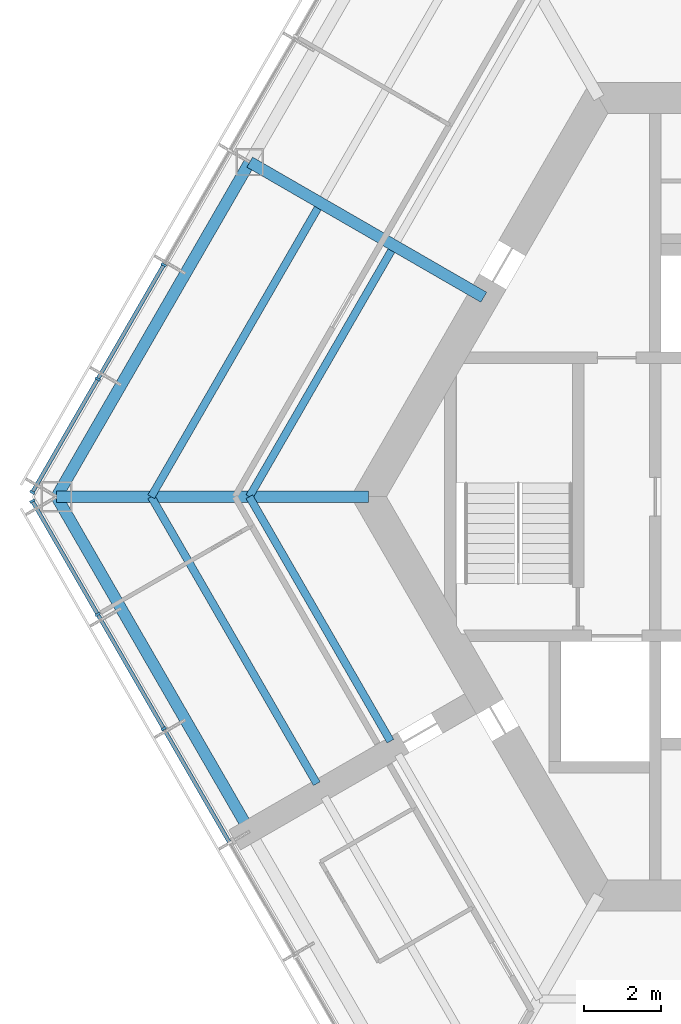
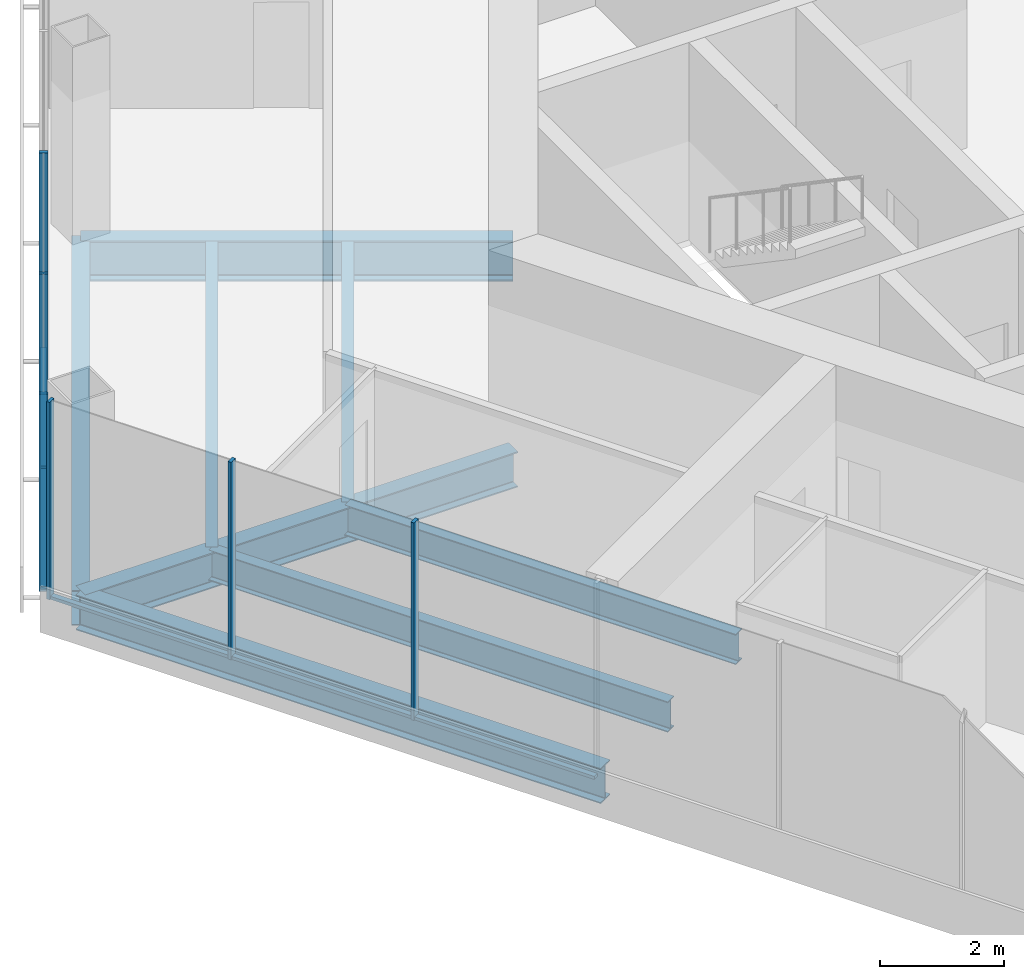
# One storey, part 3 of 15: 11 members, 8 beams, 2 elements without a shape of their own.
"""IFC4 building model written with IfcOpenShell, lengths in metres."""

import ifcopenshell
import ifcopenshell.guid

model = None  # the IFC model being written
_history = None  # IfcOwnerHistory: only IFC2X3 demands one
_inside = {}  # id of a spatial element -> (the spatial element, [elements in it])
_under = {}  # id of a project, library or spatial element -> (it, [spatial elements below it])
_declared = {}  # id of a project -> (the project, [libraries it declares])
_typed = {}  # id of a type object -> (the type object, [elements of that type])
_made_of = {}  # id of a material, layer set ... -> (it, [elements and type objects made of it])


def new_model(schema):
    """Start an empty IFC model of exactly this schema.

    Asked for "IFC4X3", IfcOpenShell would pick the latest addendum, in which some entities
    have other attributes; the version numbers below select the first issue.
    IFC2X3 requires an IfcOwnerHistory on every rooted entity: one is made here for all.
    """
    global model, _history
    if schema == "IFC4X3":
        model = ifcopenshell.file(schema_version=(4, 3, 0, 0))
    else:
        model = ifcopenshell.file(schema=schema)
    _inside.clear()
    _under.clear()
    _declared.clear()
    _typed.clear()
    _made_of.clear()
    _history = None
    if model.schema == "IFC2X3":
        org = make("IfcOrganization", Name="unknown")
        user = make(
            "IfcPersonAndOrganization",
            ThePerson=make("IfcPerson", FamilyName="unknown"),
            TheOrganization=org,
        )
        app = make(
            "IfcApplication",
            ApplicationDeveloper=org,
            Version="unknown",
            ApplicationFullName="unknown",
            ApplicationIdentifier="unknown",
        )
        _history = make(
            "IfcOwnerHistory",
            OwningUser=user,
            OwningApplication=app,
            ChangeAction="ADDED",
            CreationDate=0,
        )
    return model


def make(cls, **values):
    """One entity of the class cls with the attributes given. An attribute that is None is left unset."""
    return model.create_entity(
        cls, **{name: value for name, value in values.items() if value is not None}
    )


def rooted(cls, **values):
    """An entity with a GlobalId (a new one), such as an element, a storey or a relation."""
    return make(cls, GlobalId=ifcopenshell.guid.new(), OwnerHistory=_history, **values)


def si_unit(unit_type, name, prefix=None):
    """IfcSIUnit, for example si_unit("LENGTHUNIT", "METRE", prefix="MILLI")."""
    return make("IfcSIUnit", UnitType=unit_type, Prefix=prefix, Name=name)


def assignment(units):
    """IfcUnitAssignment: the units of a project."""
    return None if units is None else make("IfcUnitAssignment", Units=units)


def point(xyz):
    """IfcCartesianPoint."""
    return None if xyz is None else make("IfcCartesianPoint", Coordinates=xyz)


def direction(xyz):
    """IfcDirection."""
    return None if xyz is None else make("IfcDirection", DirectionRatios=xyz)


def frame(location, z_axis=None, x_axis=None):
    """IfcAxis2Placement3D, a coordinate frame: its origin and axes. An axis left out is left unset."""
    return make(
        "IfcAxis2Placement3D",
        Location=point(location),
        Axis=direction(z_axis),
        RefDirection=direction(x_axis),
    )


def frame_2d(location, x_axis=None):
    """IfcAxis2Placement2D, a coordinate frame in the plane: its origin and x axis."""
    return make(
        "IfcAxis2Placement2D", Location=point(location), RefDirection=direction(x_axis)
    )


def origin():
    """The frame at (0, 0, 0) with its axes left unset."""
    return frame((0.0, 0.0, 0.0))


def origin_2d():
    """The frame at (0, 0) in the plane with its x axis left unset."""
    return frame_2d((0.0, 0.0))


def place(relative_to, where):
    """IfcLocalPlacement: puts the frame where relative to a parent placement (None: the world)."""
    return make(
        "IfcLocalPlacement", PlacementRelTo=relative_to, RelativePlacement=where
    )


def context(
    kind, dimensions, precision=None, world=None, true_north=None, identifier=None
):
    """IfcGeometricRepresentationContext, for example the 3D "Model" context."""
    return make(
        "IfcGeometricRepresentationContext",
        ContextIdentifier=identifier,
        ContextType=kind,
        CoordinateSpaceDimension=dimensions,
        Precision=precision,
        WorldCoordinateSystem=world,
        TrueNorth=true_north,
    )


def subcontext(parent, identifier, kind, view, scale=None):
    """IfcGeometricRepresentationSubContext, for example "Body" below "Model"."""
    return make(
        "IfcGeometricRepresentationSubContext",
        ContextIdentifier=identifier,
        ContextType=kind,
        ParentContext=parent,
        TargetScale=scale,
        TargetView=view,
    )


def project(units=None, contexts=None):
    """IfcProject with its units and contexts."""
    return rooted(
        "IfcProject",
        Name="project",
        RepresentationContexts=contexts,
        UnitsInContext=assignment(units),
    )


def spatial(cls, under=None, at=None, **own):
    """A site, building, storey or space (cls), placed at a placement, below another one or the project."""
    s = rooted(cls, ObjectPlacement=at, **own)
    if under is not None:
        _under.setdefault(under.id(), (under, []))[1].append(s)
    return s


def profile(cls, at=None, kind="AREA", **sizes):
    """A parametric profile (cls). Its sizes go by their IFC names, for example OverallWidth=200.0."""
    return make(cls, ProfileType=kind, Position=at, **sizes)


def rectangle(**sizes):
    """IfcRectangleProfileDef."""
    return profile("IfcRectangleProfileDef", **sizes)


def i_section(**sizes):
    """IfcIShapeProfileDef."""
    return profile("IfcIShapeProfileDef", **sizes)


def extrude(swept, where, along, depth):
    """IfcExtrudedAreaSolid: the profile swept, set in the frame where, extruded along a direction by depth."""
    return make(
        "IfcExtrudedAreaSolid",
        SweptArea=swept,
        Position=where,
        ExtrudedDirection=direction(along),
        Depth=depth,
    )


def shape(context_of_items, identifier, shape_type, items):
    """IfcShapeRepresentation: the items that make up one representation, for example the "Body"."""
    return make(
        "IfcShapeRepresentation",
        ContextOfItems=context_of_items,
        RepresentationIdentifier=identifier,
        RepresentationType=shape_type,
        Items=items,
    )


def material(Name=None, Category=None):
    """IfcMaterial."""
    return make("IfcMaterial", Name=Name, Category=Category)


def material_profile(
    of_material, cross_section, Name=None, Category=None, Priority=None
):
    """IfcMaterialProfile: a cross section and its material."""
    return make(
        "IfcMaterialProfile",
        Name=Name,
        Material=of_material,
        Profile=cross_section,
        Priority=Priority,
        Category=Category,
    )


def profile_set(profiles, Name=None, composite=None):
    """IfcMaterialProfileSet."""
    return make(
        "IfcMaterialProfileSet",
        Name=Name,
        MaterialProfiles=profiles,
        CompositeProfile=composite,
    )


def made_of(thing, what):
    """Note that an element or type object is made of a material, layer set ...; save() writes the relation."""
    if what is not None:
        _made_of.setdefault(what.id(), (what, []))[1].append(thing)
    return thing


def type_object(cls, material=None, **own):
    """A type object (cls), such as IfcWallType, which elements share."""
    return made_of(rooted(cls, **own), material)


def element(
    cls,
    number,
    at=None,
    inside=None,
    cuts=None,
    type_object=None,
    material=None,
    context=None,
    identifier="Body",
    shape_type=None,
    held_by="IfcProductDefinitionShape",
    body=None,
    shapes=None,
    **own,
):
    """One element of the class cls, such as IfcWall. Its Tag is "e" and its number.

    at: its placement. inside: the storey or other place that contains it. cuts: it is an
    opening in that element (IfcRelVoidsElement). A single representation is given by context,
    identifier, shape_type and body (its items); several are given by shapes. held_by: the class
    of the entity that holds the representations. save() writes the other relations.
    """
    e = rooted(cls, Tag="e%d" % number, ObjectPlacement=at, **own)
    if body is not None:
        shapes = [shape(context, identifier, shape_type, body)]
    if shapes is not None:
        e.Representation = make(held_by, Representations=shapes)
    if inside is not None:
        _inside.setdefault(inside.id(), (inside, []))[1].append(e)
    if cuts is not None:
        rooted(
            "IfcRelVoidsElement", RelatingBuildingElement=cuts, RelatedOpeningElement=e
        )
    if type_object is not None:
        _typed.setdefault(type_object.id(), (type_object, []))[1].append(e)
    return made_of(e, material)


def aggregate(whole, parts):
    """IfcRelAggregates: a whole, such as a stair, and the parts it consists of."""
    return rooted("IfcRelAggregates", RelatingObject=whole, RelatedObjects=parts)


def save(model, path):
    """Write the relations noted so far, then the file.

    IfcRelAggregates (storeys below a building ...), IfcRelContainedInSpatialStructure (elements
    in a storey), IfcRelDefinesByType, IfcRelAssociatesMaterial and IfcRelDeclares: one each for
    every whole, place, type object, material and project.
    """
    for whole, parts in _under.values():
        aggregate(whole, parts)
    for where, things in _inside.values():
        rooted(
            "IfcRelContainedInSpatialStructure",
            RelatedElements=things,
            RelatingStructure=where,
        )
    for kind, things in _typed.values():
        rooted("IfcRelDefinesByType", RelatedObjects=things, RelatingType=kind)
    for what, things in _made_of.values():
        rooted("IfcRelAssociatesMaterial", RelatedObjects=things, RelatingMaterial=what)
    for by, libraries in _declared.values():
        rooted("IfcRelDeclares", RelatingContext=by, RelatedDefinitions=libraries)
    model.write(path)


model = new_model("IFC4")

# Units and contexts
model_context = context("Model", 3, precision=1e-05, world=origin(), true_north=direction((0.0, 1.0)))
body_context = subcontext(model_context, "Body", "Model", "MODEL_VIEW")
ifc_project = project(units=[si_unit("LENGTHUNIT", "METRE"), si_unit("AREAUNIT", "SQUARE_METRE"), si_unit("VOLUMEUNIT", "CUBIC_METRE"), si_unit("PLANEANGLEUNIT", "RADIAN"), si_unit("MASSUNIT", "GRAM", prefix="KILO")], contexts=[model_context])

# Site, building, storey
site_placement = place(None, origin())
site = spatial("IfcSite", under=ifc_project, at=site_placement, CompositionType="ELEMENT")
building_placement = place(site_placement, origin())
building = spatial("IfcBuilding", under=site, at=building_placement, Name="Kasaneha Research Tower", CompositionType="ELEMENT")
storey_placement = place(building_placement, frame((0.0, 0.0, 244.0)))
storey = spatial("IfcBuildingStorey", under=building, at=storey_placement, Name="L61", CompositionType="ELEMENT", Elevation=244.0)

# Beams
ifc_material_1 = material(Name="Steel SN490B", Category="steel")
ifc_material_profile_1 = material_profile(ifc_material_1, i_section(OverallWidth=0.199951171875, OverallDepth=0.60009765625, WebThickness=0.010986328125, FlangeThickness=0.01708984375, FilletRadius=0.012939453125, at=origin_2d()), Name="H-600x200x11x17")
ifc_profile_set_1 = profile_set([ifc_material_profile_1], Name="Steel SN490B")
beam_type_1 = type_object("IfcBeamType", Name="B1-3 secondary beam H-600x200x11x17", PredefinedType="JOIST", material=ifc_profile_set_1)
beam_1_placement = place(storey_placement, frame((-15.010986328125, 0.0, -0.449951171875), z_axis=(0.499994443168, 0.866028611999, 0.0), x_axis=(-0.866028611999, 0.499994443168, 0.0)))
element("IfcBeam", 1, at=beam_1_placement, inside=storey, type_object=beam_type_1, Name="Secondary beam RS150R1 L61", PredefinedType="JOIST", context=body_context, shape_type="SweptSolid", body=[
    extrude(i_section(OverallWidth=0.199951171875, OverallDepth=0.60009765625, WebThickness=0.010986328125, FlangeThickness=0.01708984375, FilletRadius=0.012939453125, at=origin_2d()), origin(), (0.0, 0.0, 1.0), 7.35546875),
])
beam_2_placement = place(storey_placement, frame((-17.551513671875, 0.0, -0.449951171875), z_axis=(0.5000050195, 0.866022505755, 0.0), x_axis=(-0.866022505755, 0.5000050195, 0.0)))
element("IfcBeam", 2, at=beam_2_placement, inside=storey, type_object=beam_type_1, Name="Secondary beam RS150R2 L61", PredefinedType="JOIST", context=body_context, shape_type="SweptSolid", body=[
    extrude(i_section(OverallWidth=0.199951171875, OverallDepth=0.60009765625, WebThickness=0.010986328125, FlangeThickness=0.01708984375, FilletRadius=0.012939453125, at=origin_2d()), origin(), (0.0, 0.0, 1.0), 8.6259765625),
])
beam_3_placement = place(storey_placement, frame((-15.010986328125, 0.0, -0.449951171875), z_axis=(0.499974128195, -0.866040340363, 0.0), x_axis=(0.866040340363, 0.499974128195, 0.0)))
element("IfcBeam", 3, at=beam_3_placement, inside=storey, type_object=beam_type_1, Name="Secondary beam RS210L1 L61", PredefinedType="JOIST", context=body_context, shape_type="SweptSolid", body=[
    extrude(i_section(OverallWidth=0.199951171875, OverallDepth=0.60009765625, WebThickness=0.010986328125, FlangeThickness=0.01708984375, FilletRadius=0.012939453125, at=origin_2d()), origin(), (0.0, 0.0, 1.0), 7.3056640625),
])
beam_4_placement = place(storey_placement, frame((-17.551513671875, 0.0, -0.449951171875), z_axis=(0.500000102728, -0.866025344474, 0.0), x_axis=(0.866025344474, 0.500000102728, 0.0)))
element("IfcBeam", 4, at=beam_4_placement, inside=storey, type_object=beam_type_1, Name="Secondary beam RS210L2 L61", PredefinedType="JOIST", context=body_context, shape_type="SweptSolid", body=[
    extrude(i_section(OverallWidth=0.199951171875, OverallDepth=0.60009765625, WebThickness=0.010986328125, FlangeThickness=0.01708984375, FilletRadius=0.012939453125, at=origin_2d()), origin(), (0.0, 0.0, 1.0), 8.57568359375),
])

# Curtain wall, members
ifc_material_2 = material(Name="Glass and aluminium", Category="aluminium")
curtain_wall_type = type_object("IfcCurtainWallType", Name="High-rise office curtain wall", PredefinedType="USERDEFINED", material=ifc_material_2)
curtain_wall_1_placement = place(storey_placement, origin())
curtain_wall_1 = element("IfcCurtainWall", 5, at=curtain_wall_1_placement, inside=storey, type_object=curtain_wall_type, Name="CW-O3 L61 run 03a", ObjectType="UNITISED CURTAIN WALL", PredefinedType="USERDEFINED")
ifc_material_3 = material(Name="Aluminium 6063-T6", Category="aluminium")
ifc_material_profile_2 = material_profile(ifc_material_3, rectangle(XDim=0.06005859375, YDim=0.139892578125, at=origin_2d()), Name="CW-O3 mullion 60x140")
ifc_profile_set_2 = profile_set([ifc_material_profile_2], Name="Aluminium 6063-T6")
member_type_1 = type_object("IfcMemberType", Name="CW-O3 mullion", PredefinedType="MULLION", material=ifc_profile_set_2)
member_1_placement = place(storey_placement, frame((-17.227294921875, 6.00244140625, 0.0), z_axis=(0.0, 0.0, 1.0), x_axis=(-0.499999995722, -0.866025406254, 0.0)))
member_1 = element("IfcMember", 6, at=member_1_placement, type_object=member_type_1, Name="CW-O3 mullion 5", PredefinedType="MULLION", context=body_context, shape_type="SweptSolid", body=[
    extrude(rectangle(XDim=0.06005859375, YDim=0.139892578125, at=origin_2d()), origin(), (0.0, 0.0, 1.0), 3.89990234375),
])
member_2_placement = place(storey_placement, frame((-18.93505859375, 3.04443359375, 0.0), z_axis=(0.0, 0.0, 1.0), x_axis=(-0.499999995722, -0.866025406254, 0.0)))
member_2 = element("IfcMember", 7, at=member_2_placement, type_object=member_type_1, Name="CW-O3 mullion 6", PredefinedType="MULLION", context=body_context, shape_type="SweptSolid", body=[
    extrude(rectangle(XDim=0.06005859375, YDim=0.139892578125, at=origin_2d()), origin(), (0.0, 0.0, 1.0), 3.89990234375),
])
member_3_placement = place(storey_placement, frame((-20.6279296875, 0.112548828125, 0.0), z_axis=(0.0, 0.0, 1.0), x_axis=(-0.499999995722, -0.866025406254, 0.0)))
member_3 = element("IfcMember", 8, at=member_3_placement, type_object=member_type_1, Name="CW-O3 mullion 7", PredefinedType="MULLION", context=body_context, shape_type="SweptSolid", body=[
    extrude(rectangle(XDim=0.06005859375, YDim=0.139892578125, at=origin_2d()), origin(), (0.0, 0.0, 1.0), 3.89990234375),
])

curtain_wall_2_placement = place(storey_placement, origin())
curtain_wall_2 = element("IfcCurtainWall", 9, at=curtain_wall_2_placement, inside=storey, type_object=curtain_wall_type, Name="CW-O3 L61 run 04a", ObjectType="UNITISED CURTAIN WALL", PredefinedType="USERDEFINED")
member_4_placement = place(storey_placement, frame((-20.6279296875, -0.112548828125, 0.0), z_axis=(0.0, 0.0, 1.0), x_axis=(0.499999995722, -0.866025406254, 0.0)))
member_4 = element("IfcMember", 10, at=member_4_placement, type_object=member_type_1, Name="CW-O3 mullion 1", PredefinedType="MULLION", context=body_context, shape_type="SweptSolid", body=[
    extrude(rectangle(XDim=0.06005859375, YDim=0.139892578125, at=origin_2d()), origin(), (0.0, 0.0, 1.0), 3.89990234375),
])
member_5_placement = place(storey_placement, frame((-18.93505859375, -3.04443359375, 0.0), z_axis=(0.0, 0.0, 1.0), x_axis=(0.499999995722, -0.866025406254, 0.0)))
member_5 = element("IfcMember", 11, at=member_5_placement, type_object=member_type_1, Name="CW-O3 mullion 2", PredefinedType="MULLION", context=body_context, shape_type="SweptSolid", body=[
    extrude(rectangle(XDim=0.06005859375, YDim=0.139892578125, at=origin_2d()), origin(), (0.0, 0.0, 1.0), 3.89990234375),
])
member_6_placement = place(storey_placement, frame((-17.227294921875, -6.00244140625, 0.0), z_axis=(0.0, 0.0, 1.0), x_axis=(0.499999995722, -0.866025406254, 0.0)))
member_6 = element("IfcMember", 12, at=member_6_placement, type_object=member_type_1, Name="CW-O3 mullion 3", PredefinedType="MULLION", context=body_context, shape_type="SweptSolid", body=[
    extrude(rectangle(XDim=0.06005859375, YDim=0.139892578125, at=origin_2d()), origin(), (0.0, 0.0, 1.0), 3.89990234375),
])

# Member
ifc_material_4 = material(Name="Aluminium 6063-T6", Category="aluminium")
ifc_material_profile_3 = material_profile(ifc_material_4, rectangle(XDim=0.10009765625, YDim=0.06005859375, at=origin_2d()), Name="CW-O3 transom 100x60")
ifc_profile_set_3 = profile_set([ifc_material_profile_3], Name="Aluminium 6063-T6")
member_type_2 = type_object("IfcMemberType", Name="CW-O3 transom", PredefinedType="USERDEFINED", material=ifc_profile_set_3)
member_7_placement = place(storey_placement, frame((-17.242431640625, 5.976318359375, 0.030029296875), z_axis=(-0.500020578564, -0.866013522419, 0.0), x_axis=(0.866013522419, -0.500020578564, 0.0)))
member_7 = element("IfcMember", 13, at=member_7_placement, type_object=member_type_2, Name="CW-O3 transom 5", ObjectType="TRANSOM", PredefinedType="USERDEFINED", context=body_context, shape_type="SweptSolid", body=[
    extrude(rectangle(XDim=0.10009765625, YDim=0.06005859375, at=origin_2d()), origin(), (0.0, 0.0, 1.0), 3.355224609375),
])

member_8_placement = place(storey_placement, frame((-18.9501953125, 3.0185546875, 0.030029296875), z_axis=(-0.49997666526, -0.866038875684, 0.0), x_axis=(0.866038875684, -0.49997666526, 0.0)))
member_8 = element("IfcMember", 14, at=member_8_placement, type_object=member_type_2, Name="CW-O3 transom 6", ObjectType="TRANSOM", PredefinedType="USERDEFINED", context=body_context, shape_type="SweptSolid", body=[
    extrude(rectangle(XDim=0.10009765625, YDim=0.06005859375, at=origin_2d()), origin(), (0.0, 0.0, 1.0), 3.325439453125),
])

aggregate(curtain_wall_1, [member_1, member_2, member_3, member_7, member_8])

member_9_placement = place(storey_placement, frame((-20.61279296875, -0.138671875, 0.030029296875), z_axis=(0.49997666526, -0.866038875684, 0.0), x_axis=(0.866038875684, 0.49997666526, 0.0)))
member_9 = element("IfcMember", 15, at=member_9_placement, type_object=member_type_2, Name="CW-O3 transom 1", ObjectType="TRANSOM", PredefinedType="USERDEFINED", context=body_context, shape_type="SweptSolid", body=[
    extrude(rectangle(XDim=0.10009765625, YDim=0.06005859375, at=origin_2d()), origin(), (0.0, 0.0, 1.0), 3.325439453125),
])

member_10_placement = place(storey_placement, frame((-18.920166015625, -3.070556640625, 0.030029296875), z_axis=(0.500020578564, -0.866013522419, 0.0), x_axis=(0.866013522419, 0.500020578564, 0.0)))
member_10 = element("IfcMember", 16, at=member_10_placement, type_object=member_type_2, Name="CW-O3 transom 2", ObjectType="TRANSOM", PredefinedType="USERDEFINED", context=body_context, shape_type="SweptSolid", body=[
    extrude(rectangle(XDim=0.10009765625, YDim=0.06005859375, at=origin_2d()), origin(), (0.0, 0.0, 1.0), 3.355224609375),
])

member_11_placement = place(storey_placement, frame((-17.21240234375, -6.0283203125, 0.030029296875), z_axis=(0.499989072476, -0.866031712701, 0.0), x_axis=(0.866031712701, 0.499989072476, 0.0)))
member_11 = element("IfcMember", 17, at=member_11_placement, type_object=member_type_2, Name="CW-O3 transom 3", ObjectType="TRANSOM", PredefinedType="USERDEFINED", context=body_context, shape_type="SweptSolid", body=[
    extrude(rectangle(XDim=0.10009765625, YDim=0.06005859375, at=origin_2d()), origin(), (0.0, 0.0, 1.0), 3.35546875),
])

aggregate(curtain_wall_2, [member_4, member_5, member_6, member_9, member_10, member_11])

# Beams
ifc_material_5 = material(Name="Steel SN490B", Category="steel")
ifc_material_profile_4 = material_profile(ifc_material_5, i_section(OverallWidth=0.300048828125, OverallDepth=0.699951171875, WebThickness=0.012939453125, FlangeThickness=0.02392578125, FilletRadius=0.01806640625, at=origin_2d()), Name="H-700x300x13x24")
ifc_profile_set_4 = profile_set([ifc_material_profile_4], Name="Steel SN490B")
beam_type_2 = type_object("IfcBeamType", Name="G1-3 radial girder H-700x300x13x24", PredefinedType="BEAM", material=ifc_profile_set_4)
beam_5_placement = place(storey_placement, frame((-11.92236328125, 0.0, -0.5), z_axis=(-1.0, 0.0, 0.0), x_axis=(0.0, -1.0, 0.0)))
element("IfcBeam", 18, at=beam_5_placement, inside=storey, type_object=beam_type_2, Name="Radial girder RV180 L61", PredefinedType="BEAM", context=body_context, shape_type="SweptSolid", body=[
    extrude(i_section(OverallWidth=0.300048828125, OverallDepth=0.699951171875, WebThickness=0.012939453125, FlangeThickness=0.02392578125, FilletRadius=0.01806640625, at=origin_2d()), origin(), (0.0, 0.0, 1.0), 8.07763671875),
])
ifc_material_6 = material(Name="Steel SN490B", Category="steel")
ifc_material_profile_5 = material_profile(ifc_material_6, i_section(OverallWidth=0.300048828125, OverallDepth=0.800048828125, WebThickness=0.013916015625, FlangeThickness=0.02587890625, FilletRadius=0.01806640625, at=origin_2d()), Name="H-800x300x14x26")
ifc_profile_set_5 = profile_set([ifc_material_profile_5], Name="Steel SN490B")
beam_type_3 = type_object("IfcBeamType", Name="G2-3 radial girder H-800x300x14x26", PredefinedType="BEAM", material=ifc_profile_set_5)
beam_6_placement = place(storey_placement, frame((-8.941650390625, 5.16259765625, -0.550048828125), z_axis=(-0.866039713508, 0.499975214012, 0.0), x_axis=(-0.499975214012, -0.866039713508, 0.0)))
element("IfcBeam", 19, at=beam_6_placement, inside=storey, type_object=beam_type_3, Name="Radial girder RM150 L61", PredefinedType="BEAM", context=body_context, shape_type="SweptSolid", body=[
    extrude(i_section(OverallWidth=0.300048828125, OverallDepth=0.800048828125, WebThickness=0.013916015625, FlangeThickness=0.02587890625, FilletRadius=0.01806640625, at=origin_2d()), origin(), (0.0, 0.0, 1.0), 6.995361328125),
])
ifc_material_7 = material(Name="Steel SN490B", Category="steel")
ifc_material_profile_6 = material_profile(ifc_material_7, i_section(OverallWidth=0.300048828125, OverallDepth=0.69189453125, WebThickness=0.012939453125, FlangeThickness=0.02001953125, FilletRadius=0.01806640625, at=origin_2d()), Name="H-692x300x13x20")
ifc_profile_set_6 = profile_set([ifc_material_profile_6], Name="Steel SN490B")
beam_type_4 = type_object("IfcBeamType", Name="G3-3 plate edge girder H-692x300x13x20", PredefinedType="BEAM", material=ifc_profile_set_6)
beam_7_placement = place(storey_placement, frame((-20.0, 0.0, -0.49609375), z_axis=(0.49999201416, -0.866030014362, 0.0), x_axis=(0.866030014362, 0.49999201416, 0.0)))
element("IfcBeam", 20, at=beam_7_placement, inside=storey, type_object=beam_type_4, Name="Plate edge girder PEBP L61", PredefinedType="BEAM", context=body_context, shape_type="SweptSolid", body=[
    extrude(i_section(OverallWidth=0.300048828125, OverallDepth=0.69189453125, WebThickness=0.012939453125, FlangeThickness=0.02001953125, FilletRadius=0.01806640625, at=origin_2d()), origin(), (0.0, 0.0, 1.0), 9.800048828125),
])
ifc_material_8 = material(Name="Steel SN490B", Category="steel")
ifc_material_profile_7 = material_profile(ifc_material_8, i_section(OverallWidth=0.300048828125, OverallDepth=0.69189453125, WebThickness=0.012939453125, FlangeThickness=0.02001953125, FilletRadius=0.01806640625, at=origin_2d()), Name="H-692x300x13x20")
ifc_profile_set_7 = profile_set([ifc_material_profile_7], Name="Steel SN490B")
beam_type_5 = type_object("IfcBeamType", Name="SB1-3 spandrel beam H-692x300x13x20", PredefinedType="SPANDREL", material=ifc_profile_set_7)
beam_8_placement = place(storey_placement, frame((-20.0, 0.0, -0.49609375), z_axis=(0.500004234368, 0.866022959057, 0.0), x_axis=(-0.866022959057, 0.500004234368, 0.0)))
element("IfcBeam", 21, at=beam_8_placement, inside=storey, type_object=beam_type_5, Name="Spandrel beam SR150R L61", PredefinedType="SPANDREL", context=body_context, shape_type="SweptSolid", body=[
    extrude(i_section(OverallWidth=0.300048828125, OverallDepth=0.69189453125, WebThickness=0.012939453125, FlangeThickness=0.02001953125, FilletRadius=0.01806640625, at=origin_2d()), origin(), (0.0, 0.0, 1.0), 10.0),
])

save(model, "model.ifc")
